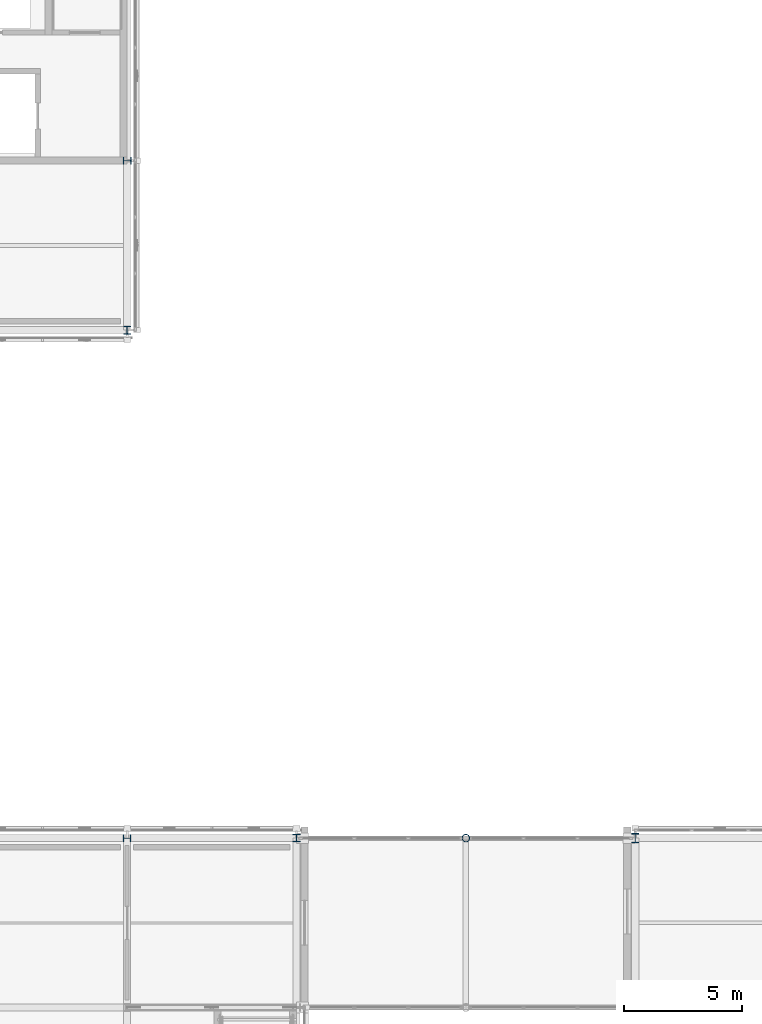
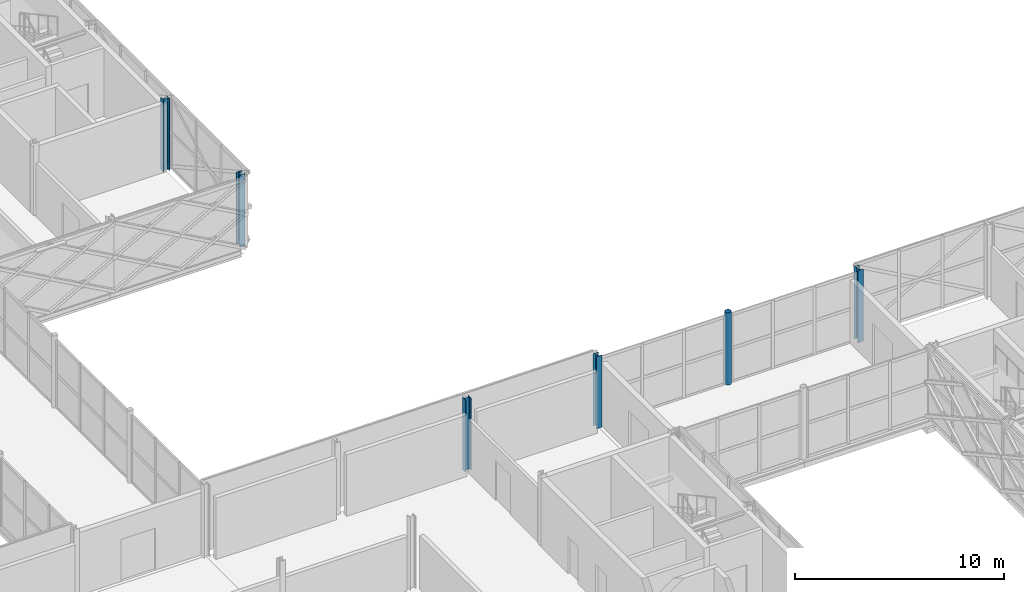
# One storey, part 5 of 146: 6 columns.
"""IFC4 building model written with IfcOpenShell, lengths in metres."""

from ifc_helpers import new_model, si_unit, direction, frame, origin, origin_2d, place, context, subcontext, project, spatial, hollow_circle, i_section, extrude, material, material_profile, profile_set, type_object, element, save


model = new_model("IFC4")

# Units and contexts
model_context = context("Model", 3, precision=1e-05, world=origin(), true_north=direction((0.0, 1.0)))
body_context = subcontext(model_context, "Body", "Model", "MODEL_VIEW")
ifc_project = project(units=[si_unit("LENGTHUNIT", "METRE"), si_unit("AREAUNIT", "SQUARE_METRE"), si_unit("VOLUMEUNIT", "CUBIC_METRE"), si_unit("PLANEANGLEUNIT", "RADIAN"), si_unit("MASSUNIT", "GRAM", prefix="KILO")], contexts=[model_context])

# Site, building, storey
site_placement = place(None, origin())
site = spatial("IfcSite", under=ifc_project, at=site_placement, CompositionType="ELEMENT")
building_placement = place(site_placement, origin())
building = spatial("IfcBuilding", under=site, at=building_placement, Name="Zlatovets Crest Museum", CompositionType="ELEMENT")
storey_placement = place(building_placement, frame((0.0, 0.0, 4.5)))
storey = spatial("IfcBuildingStorey", under=building, at=storey_placement, Name="L01", CompositionType="ELEMENT", Elevation=4.5)

# Columns
ifc_material = material(Name="Structural steel S355J2", Category="steel")
ifc_material_profile_1 = material_profile(ifc_material, i_section(OverallWidth=0.300048828125, OverallDepth=0.39990234375, WebThickness=0.013427734375, FlangeThickness=0.02392578125, FilletRadius=0.027099609375, at=origin_2d()), Name="HEB 400")
ifc_profile_set_1 = profile_set([ifc_material_profile_1], Name="Structural steel S355J2")
column_type_1 = type_object("IfcColumnType", Name="Col_C-07", PredefinedType="COLUMN", material=ifc_profile_set_1)
column_1_placement = place(storey_placement, frame((57.60009765625, 28.800048828125, 0.0), z_axis=(0.0, 0.0, 1.0), x_axis=(1.0, 0.0, 0.0)))
element("IfcColumn", 1, at=column_1_placement, inside=storey, type_object=column_type_1, Name="V2 L01 Column (57.6, 28.8)", PredefinedType="COLUMN", context=body_context, shape_type="SweptSolid", body=[
    extrude(i_section(OverallWidth=0.300048828125, OverallDepth=0.39990234375, WebThickness=0.013427734375, FlangeThickness=0.02392578125, FilletRadius=0.027099609375, at=origin_2d()), origin(), (0.0, 0.0, 1.0), 4.199951171875),
])
ifc_material_profile_2 = material_profile(ifc_material, hollow_circle(Radius=0.161865234375, WallThickness=0.012451171875, at=origin_2d()), Name="CHS 323.9x12.5")
ifc_profile_set_2 = profile_set([ifc_material_profile_2], Name="Structural steel S355J2")
column_type_2 = type_object("IfcColumnType", Name="Col_C-13", PredefinedType="COLUMN", material=ifc_profile_set_2)
column_2_placement = place(storey_placement, frame((50.39990234375, 28.800048828125, 0.0), z_axis=(0.0, 0.0, 1.0), x_axis=(1.0, 0.0, 0.0)))
element("IfcColumn", 2, at=column_2_placement, inside=storey, type_object=column_type_2, Name="South Forecourt Glazed Link Bridge Portal Column", PredefinedType="COLUMN", context=body_context, shape_type="SweptSolid", body=[
    extrude(hollow_circle(Radius=0.161865234375, WallThickness=0.012451171875, at=origin_2d()), origin(), (0.0, 0.0, 1.0), 4.199951171875),
])
ifc_material_profile_3 = material_profile(ifc_material, i_section(OverallWidth=0.300048828125, OverallDepth=0.340087890625, WebThickness=0.011962890625, FlangeThickness=0.021484375, FilletRadius=0.027099609375, at=origin_2d()), Name="HEB 340")
ifc_profile_set_3 = profile_set([ifc_material_profile_3], Name="Structural steel S355J2")
column_type_3 = type_object("IfcColumnType", Name="Col_C-15", PredefinedType="COLUMN", material=ifc_profile_set_3)
for number, where, z_axis, x_axis, name in (
    (3, (36.0, 50.39990234375, 0.0), (0.0, 0.0, 1.0), (1.0, 0.0, 0.0), "V4 L01 Column (36.0, 50.4)"),
    (4, (36.0, 57.60009765625, 0.0), (0.0, 0.0, 1.0), (0.0, 1.0, 0.0), "V4 L01 Column (36.0, 57.6)"),
):
    element("IfcColumn", number, at=place(storey_placement, frame(where, z_axis=z_axis, x_axis=x_axis)), inside=storey, type_object=column_type_3, Name=name, PredefinedType="COLUMN", context=body_context, shape_type="SweptSolid", body=[
        extrude(i_section(OverallWidth=0.300048828125, OverallDepth=0.340087890625, WebThickness=0.011962890625, FlangeThickness=0.021484375, FilletRadius=0.027099609375, at=origin_2d()), origin(), (0.0, 0.0, 1.0), 4.199951171875),
    ])
ifc_material_profile_4 = material_profile(ifc_material, i_section(OverallWidth=0.300048828125, OverallDepth=0.320068359375, WebThickness=0.011474609375, FlangeThickness=0.0205078125, FilletRadius=0.027099609375, at=origin_2d()), Name="HEB 320")
ifc_profile_set_4 = profile_set([ifc_material_profile_4], Name="Structural steel S355J2")
column_type_4 = type_object("IfcColumnType", Name="Col_C-16", PredefinedType="COLUMN", material=ifc_profile_set_4)
for number, where, z_axis, x_axis, name in (
    (5, (36.0, 28.800048828125, 0.0), (0.0, 0.0, 1.0), (0.0, 1.0, 0.0), "V3 L01 Column (36.0, 28.8)"),
    (6, (43.199951171875, 28.800048828125, 0.0), (0.0, 0.0, 1.0), (1.0, 0.0, 0.0), "V3 L01 Column (43.2, 28.8)"),
):
    element("IfcColumn", number, at=place(storey_placement, frame(where, z_axis=z_axis, x_axis=x_axis)), inside=storey, type_object=column_type_4, Name=name, PredefinedType="COLUMN", context=body_context, shape_type="SweptSolid", body=[
        extrude(i_section(OverallWidth=0.300048828125, OverallDepth=0.320068359375, WebThickness=0.011474609375, FlangeThickness=0.0205078125, FilletRadius=0.027099609375, at=origin_2d()), origin(), (0.0, 0.0, 1.0), 4.199951171875),
    ])

save(model, "model.ifc")
